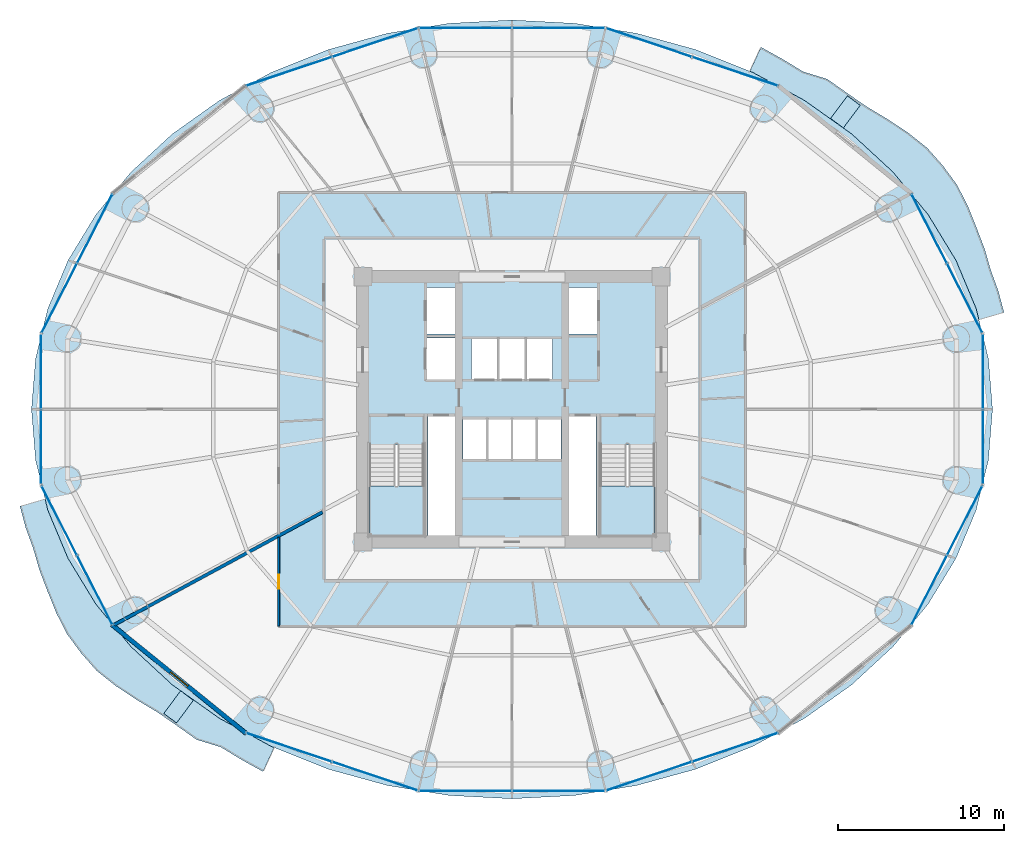
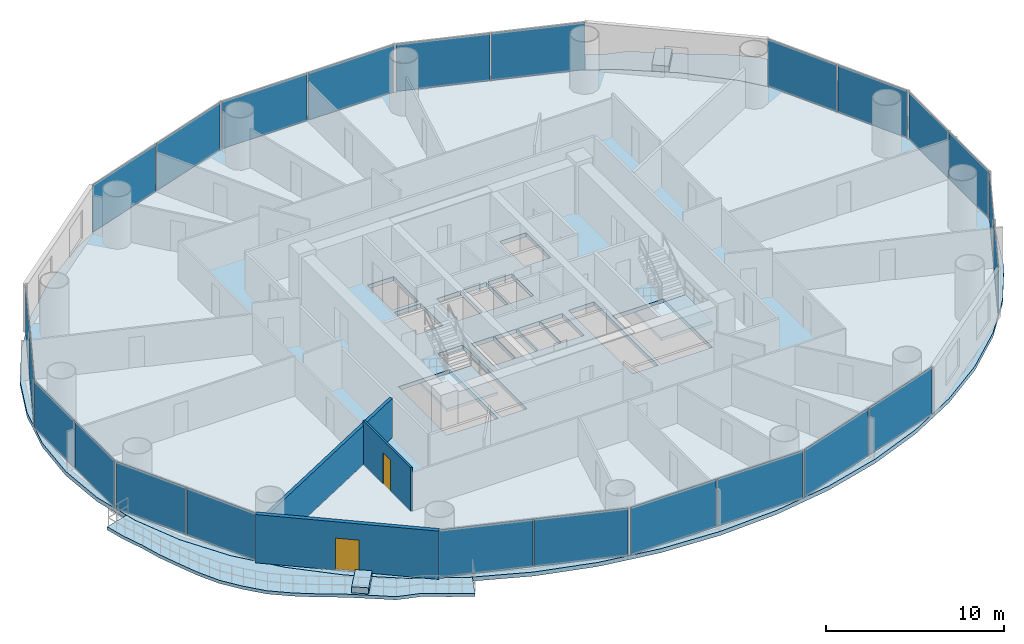
# One storey, part 22 of 30: 24 plates, 7 slabs, 3 walls, 2 doors, 2 openings, 14 elements without a shape of their own.
"""IFC4 building model written with IfcOpenShell, lengths in metres."""

from ifc_helpers import new_model, si_unit, direction, frame, frame_2d, origin, origin_2d, place, context, subcontext, project, spatial, polyline, rectangle, outline, extrude, source, transform, mapped, material, layer, layer_set, type_object, element, fill, aggregate, save


model = new_model("IFC4")

# Units and contexts
model_context = context("Model", 3, precision=1e-05, world=origin(), true_north=direction((-0.2419218956, 0.970295726276)))
body_context = subcontext(model_context, "Body", "Model", "MODEL_VIEW")
ifc_project = project(units=[si_unit("LENGTHUNIT", "METRE"), si_unit("AREAUNIT", "SQUARE_METRE"), si_unit("VOLUMEUNIT", "CUBIC_METRE"), si_unit("PLANEANGLEUNIT", "RADIAN"), si_unit("MASSUNIT", "GRAM", prefix="KILO")], contexts=[model_context])

# Site, building, storey
site_placement = place(None, origin())
site = spatial("IfcSite", under=ifc_project, at=site_placement, CompositionType="ELEMENT")
building_placement = place(site_placement, origin())
building = spatial("IfcBuilding", under=site, at=building_placement, Name="Cobrevalo Terracotta Tower", CompositionType="ELEMENT")
storey_placement = place(building_placement, frame((0.0, 0.0, 56.39990234375)))
storey = spatial("IfcBuildingStorey", under=building, at=storey_placement, Name="L14", CompositionType="ELEMENT", Elevation=56.39990234375)

# Stair, slab
ifc_material_1 = material(Name="Concrete C50", Category="concrete")
stair_type = type_object("IfcStairType", Name="Core protected escape dogleg stair 1600", PredefinedType="HALF_TURN_STAIR", material=ifc_material_1)
stair_1_placement = place(storey_placement, origin())
stair_1 = element("IfcStair", 1, at=stair_1_placement, inside=storey, type_object=stair_type, Name="L14 Protected exit stair ST-1", PredefinedType="HALF_TURN_STAIR")
ifc_layer_1 = layer(ifc_material_1, 0.199951171875)
ifc_layer_set_1 = layer_set([ifc_layer_1], Name="Concrete C50")
slab_type_1 = type_object("IfcSlabType", Name="Reinforced Concrete Stair Landing 200", PredefinedType="LANDING", material=ifc_layer_set_1)
slab_1_placement = place(storey_placement, frame((0.0, 0.0, 1.60009765625)))
slab_1 = element("IfcSlab", 2, at=slab_1_placement, type_object=slab_type_1, Name="ST-1 landing 1", PredefinedType="LANDING", context=body_context, shape_type="SweptSolid", body=[
    extrude(outline(polyline([(29.375, 22.179931640625), (29.375, 19.175048828125), (32.695068359375, 19.175048828125), (32.695068359375, 22.179931640625), (29.375, 22.179931640625)])), origin(), (0.0, 0.0, 1.0), 0.199951171875),
])
aggregate(stair_1, [slab_1])

stair_2_placement = place(storey_placement, origin())
stair_2 = element("IfcStair", 3, at=stair_2_placement, inside=storey, type_object=stair_type, Name="L14 Protected exit stair ST-2", PredefinedType="HALF_TURN_STAIR")
slab_2_placement = place(storey_placement, frame((0.0, 0.0, 1.60009765625)))
slab_2 = element("IfcSlab", 4, at=slab_2_placement, type_object=slab_type_1, Name="ST-2 landing 1", PredefinedType="LANDING", context=body_context, shape_type="SweptSolid", body=[
    extrude(outline(polyline([(43.304931640625, 22.179931640625), (43.304931640625, 19.175048828125), (46.625, 19.175048828125), (46.625, 22.179931640625), (43.304931640625, 22.179931640625)])), origin(), (0.0, 0.0, 1.0), 0.199951171875),
])
aggregate(stair_2, [slab_2])

# Slabs
ifc_material_2 = material(Name="Concrete C45", Category="concrete")
ifc_layer_2 = layer(ifc_material_2, 0.219970703125)
ifc_layer_set_2 = layer_set([ifc_layer_2], Name="Concrete C45")
slab_type_2 = type_object("IfcSlabType", Name="Spiralling cantilevered balcony lobe slab 220 mm", PredefinedType="FLOOR", material=ifc_layer_set_2)
slab_3_placement = place(storey_placement, frame((0.0, 0.0, -0.219970703125)))
element("IfcSlab", 5, at=slab_3_placement, inside=storey, type_object=slab_type_2, Name="L14 spiralling arc balcony slab lobe 1", PredefinedType="FLOOR", context=body_context, shape_type="SweptSolid", body=[
    extrude(outline(polyline([(67.692138671875, 32.6494140625), (67.352783203125, 33.926513671875), (66.896728515625, 35.18359375), (66.519287109375, 36.487060546875), (66.027099609375, 37.782470703125), (65.49853515625, 39.089599609375), (64.85302734375, 40.3544921875), (64.00048828125, 41.51123046875), (63.050537109375, 42.585205078125), (61.903564453125, 43.49462890625), (60.679443359375, 44.30615234375), (59.427490234375, 45.053955078125), (58.224609375, 45.886474609375), (57.03369140625, 46.730712890625), (55.582763671875, 47.176025390625), (54.320068359375, 47.942626953125), (53.024658203125, 48.66015625), (52.355712890625, 47.21142578125), (52.5009765625, 47.1533203125), (55.6552734375, 45.4453125), (58.507568359375, 43.41845703125), (61.0087890625, 41.107177734375), (63.116455078125, 38.551025390625), (64.79443359375, 35.7939453125), (66.013671875, 32.8828125), (66.179443359375, 32.20751953125), (67.692138671875, 32.6494140625)])), origin(), (0.0, 0.0, 1.0), 0.219970703125),
])
slab_4_placement = place(storey_placement, frame((0.0, 0.0, -0.219970703125)))
element("IfcSlab", 6, at=slab_4_placement, inside=storey, type_object=slab_type_2, Name="L14 spiralling arc balcony slab lobe 2", PredefinedType="FLOOR", context=body_context, shape_type="SweptSolid", body=[
    extrude(outline(polyline([(8.307861328125, 20.95068359375), (8.647216796875, 19.673583984375), (9.103271484375, 18.41650390625), (9.480712890625, 17.11279296875), (9.972900390625, 15.817626953125), (10.50146484375, 14.510498046875), (11.14697265625, 13.245361328125), (11.99951171875, 12.088623046875), (12.949462890625, 11.0146484375), (14.096435546875, 10.105224609375), (15.320556640625, 9.2939453125), (16.572509765625, 8.546142578125), (17.775390625, 7.71337890625), (18.96630859375, 6.869384765625), (20.417236328125, 6.424072265625), (21.679931640625, 5.6572265625), (22.975341796875, 4.939697265625), (23.644287109375, 6.388671875), (23.4990234375, 6.44677734375), (20.3447265625, 8.154541015625), (17.492431640625, 10.181640625), (14.9912109375, 12.492919921875), (12.883544921875, 15.049072265625), (11.20556640625, 17.80615234375), (9.986328125, 20.71728515625), (9.820556640625, 21.392578125), (8.307861328125, 20.95068359375)])), origin(), (0.0, 0.0, 1.0), 0.219970703125),
])
ifc_material_3 = material(Name="Precast concrete C45", Category="concrete")
ifc_layer_3 = layer(ifc_material_3, 0.419921875)
ifc_layer_set_3 = layer_set([ifc_layer_3], Name="Precast concrete C45")
slab_type_3 = type_object("IfcSlabType", Name="Structural tree planter trough base 420 mm", PredefinedType="USERDEFINED", material=ifc_layer_set_3)
slab_5_placement = place(storey_placement, origin())
element("IfcSlab", 7, at=slab_5_placement, inside=storey, type_object=slab_type_3, Name="L14 structural tree planter trough 1", ObjectType="PLANTER", PredefinedType="USERDEFINED", context=body_context, shape_type="SweptSolid", body=[
    extrude(outline(polyline([(57.998291015625, 43.785888671875), (59.01416015625, 45.149169921875), (58.244384765625, 45.72265625), (57.228515625, 44.359619140625), (57.998291015625, 43.785888671875)])), origin(), (0.0, 0.0, 1.0), 0.420166015625),
])
slab_6_placement = place(storey_placement, origin())
element("IfcSlab", 8, at=slab_6_placement, inside=storey, type_object=slab_type_3, Name="L14 structural tree planter trough 2", ObjectType="PLANTER", PredefinedType="USERDEFINED", context=body_context, shape_type="SweptSolid", body=[
    extrude(outline(polyline([(18.001708984375, 9.81396484375), (16.98583984375, 8.450927734375), (17.755615234375, 7.877197265625), (18.771484375, 9.240234375), (18.001708984375, 9.81396484375)])), origin(), (0.0, 0.0, 1.0), 0.420166015625),
])
ifc_layer_4 = layer(ifc_material_1, 0.280029296875)
ifc_layer_set_4 = layer_set([ifc_layer_4], Name="Concrete C50")
slab_type_4 = type_object("IfcSlabType", Name="Zone Z1 elliptical floor plate 280 mm", PredefinedType="FLOOR", material=ifc_layer_set_4)
slab_7_placement = place(storey_placement, frame((0.0, 0.0, -0.27978515625)))
element("IfcSlab", 9, at=slab_7_placement, inside=storey, type_object=slab_type_4, Name="L14 indoor elliptical floor slab", PredefinedType="FLOOR", context=body_context, shape_type="SweptSolid", body=[
    extrude(outline(polyline([(66.751953125, 23.732666015625), (66.011962890625, 20.7177734375), (64.79248046875, 17.806884765625), (63.11474609375, 15.050048828125), (61.00732421875, 12.494140625), (58.506103515625, 10.18310546875), (55.654052734375, 8.15625), (52.5, 6.448486328125), (49.097900390625, 5.0888671875), (45.505859375, 4.100830078125), (41.78515625, 3.5009765625), (38.0, 3.300048828125), (34.21484375, 3.5009765625), (30.494140625, 4.100830078125), (26.902099609375, 5.0888671875), (23.5, 6.448486328125), (20.345947265625, 8.15625), (17.493896484375, 10.18310546875), (14.99267578125, 12.494140625), (12.88525390625, 15.050048828125), (11.20751953125, 17.806884765625), (9.988037109375, 20.7177734375), (9.248046875, 23.732666015625), (9.0, 26.800048828125), (9.248046875, 29.867431640625), (9.988037109375, 32.88232421875), (11.20751953125, 35.79296875), (12.88525390625, 38.550048828125), (14.99267578125, 41.10595703125), (17.493896484375, 43.4169921875), (20.345947265625, 45.44384765625), (23.5, 47.151611328125), (26.902099609375, 48.51123046875), (30.494140625, 49.499267578125), (34.21484375, 50.098876953125), (38.0, 50.300048828125), (41.78515625, 50.098876953125), (45.505859375, 49.499267578125), (49.097900390625, 48.51123046875), (52.5, 47.151611328125), (55.654052734375, 45.44384765625), (58.506103515625, 43.4169921875), (61.00732421875, 41.10595703125), (63.11474609375, 38.550048828125), (64.79248046875, 35.79296875), (66.011962890625, 32.88232421875), (66.751953125, 29.867431640625), (67.0, 26.800048828125), (66.751953125, 23.732666015625)]), holes=[polyline([(32.695068359375, 19.175048828125), (32.695068359375, 24.659912109375), (29.375, 24.659912109375), (29.375, 19.175048828125), (32.695068359375, 19.175048828125)]), polyline([(34.574951171875, 19.175048828125), (34.574951171875, 26.360107421875), (32.919921875, 26.360107421875), (32.919921875, 19.175048828125), (34.574951171875, 19.175048828125)]), polyline([(36.47998046875, 23.800048828125), (36.47998046875, 26.25), (35.050048828125, 26.25), (35.050048828125, 23.800048828125), (36.47998046875, 23.800048828125)]), polyline([(37.9599609375, 23.800048828125), (37.9599609375, 26.25), (36.530029296875, 26.25), (36.530029296875, 23.800048828125), (37.9599609375, 23.800048828125)]), polyline([(37.1201171875, 28.60009765625), (37.1201171875, 31.050048828125), (35.550048828125, 31.050048828125), (35.550048828125, 28.60009765625), (37.1201171875, 28.60009765625)]), polyline([(34.550048828125, 28.60009765625), (34.550048828125, 31.10009765625), (32.85009765625, 31.10009765625), (32.85009765625, 28.60009765625), (34.550048828125, 28.60009765625)]), polyline([(34.550048828125, 31.35009765625), (34.550048828125, 34.14990234375), (32.85009765625, 34.14990234375), (32.85009765625, 31.35009765625), (34.550048828125, 31.35009765625)]), polyline([(46.625, 19.175048828125), (46.625, 24.659912109375), (43.304931640625, 24.659912109375), (43.304931640625, 19.175048828125), (46.625, 19.175048828125)]), polyline([(43.080078125, 19.175048828125), (43.080078125, 26.360107421875), (41.425048828125, 26.360107421875), (41.425048828125, 19.175048828125), (43.080078125, 19.175048828125)]), polyline([(39.469970703125, 23.800048828125), (39.469970703125, 26.25), (38.0400390625, 26.25), (38.0400390625, 23.800048828125), (39.469970703125, 23.800048828125)]), polyline([(40.949951171875, 23.800048828125), (40.949951171875, 26.25), (39.52001953125, 26.25), (39.52001953125, 23.800048828125), (40.949951171875, 23.800048828125)]), polyline([(38.780029296875, 28.60009765625), (38.780029296875, 31.050048828125), (37.219970703125, 31.050048828125), (37.219970703125, 28.60009765625), (38.780029296875, 28.60009765625)]), polyline([(40.449951171875, 28.60009765625), (40.449951171875, 31.050048828125), (38.8798828125, 31.050048828125), (38.8798828125, 28.60009765625), (40.449951171875, 28.60009765625)]), polyline([(43.14990234375, 31.35009765625), (43.14990234375, 34.14990234375), (41.449951171875, 34.14990234375), (41.449951171875, 31.35009765625), (43.14990234375, 31.35009765625)])]), origin(), (0.0, 0.0, 1.0), 0.27978515625),
])

# Curtain wall, plates
ifc_material_4 = material(Name="Anodized aluminium", Category="aluminium")
curtain_wall_type = type_object("IfcCurtainWallType", Name="Lower-tower unitised acoustic low-E curtain wall CW-U1", PredefinedType="NOTDEFINED", material=ifc_material_4)
curtain_wall_1_placement = place(storey_placement, origin())
curtain_wall_1 = element("IfcCurtainWall", 10, at=curtain_wall_1_placement, inside=storey, type_object=curtain_wall_type, Name="L14 curtain wall CW-L14-S03", PredefinedType="NOTDEFINED")
ifc_material_5 = material(Name="Solar-control low-E double glazing", Category="glass")
ifc_layer_5 = layer(ifc_material_5, 0.028076171875)
ifc_layer_set_5 = layer_set([ifc_layer_5], Name="Solar-control low-E double glazing")
plate_type = type_object("IfcPlateType", Name="Tower solar-control low-E vision glass panel 28 mm", PredefinedType="CURTAIN_PANEL", material=ifc_layer_set_5)
shared_shape_1 = source(origin(), body_context, "Body", "SweptSolid", [
    extrude(rectangle(XDim=5.3876953125, YDim=0.035888671875, at=origin_2d()), origin(), (0.0, 0.0, 1.0), 3.239990234375),
])
plate_1_placement = place(storey_placement, frame((51.465087890625, 47.197021484375, 0.0400390625), z_axis=(0.0, 0.0, 1.0), x_axis=(-0.948044172593, 0.318138722592, 0.0)))
plate_1 = element("IfcPlate", 11, at=plate_1_placement, type_object=plate_type, Name="CW-L14-S03 glazing panel B01", PredefinedType="CURTAIN_PANEL", context=body_context, shape_type="MappedRepresentation", body=[
    mapped(shared_shape_1, transform((0.0, 0.0, 0.0), scale=1.0)),
])
plate_2_placement = place(storey_placement, frame((46.281494140625, 48.9365234375, 0.0400390625), z_axis=(0.0, 0.0, 1.0), x_axis=(-0.948044172593, 0.318138722592, 0.0)))
plate_2 = element("IfcPlate", 12, at=plate_2_placement, type_object=plate_type, Name="CW-L14-S03 glazing panel B02", PredefinedType="CURTAIN_PANEL", context=body_context, shape_type="MappedRepresentation", body=[
    mapped(shared_shape_1, transform((0.0, 0.0, 0.0), scale=1.0)),
])
aggregate(curtain_wall_1, [plate_1, plate_2])

curtain_wall_2_placement = place(storey_placement, origin())
curtain_wall_2 = element("IfcCurtainWall", 13, at=curtain_wall_2_placement, inside=storey, type_object=curtain_wall_type, Name="L14 curtain wall CW-L14-S05", PredefinedType="NOTDEFINED")
plate_3_placement = place(storey_placement, frame((29.718505859375, 48.9365234375, 0.0400390625), z_axis=(0.0, 0.0, 1.0), x_axis=(-0.948044172593, -0.318138722592, 0.0)))
plate_3 = element("IfcPlate", 14, at=plate_3_placement, type_object=plate_type, Name="CW-L14-S05 glazing panel B01", PredefinedType="CURTAIN_PANEL", context=body_context, shape_type="MappedRepresentation", body=[
    mapped(shared_shape_1, transform((0.0, 0.0, 0.0), scale=1.0)),
])
plate_4_placement = place(storey_placement, frame((24.534912109375, 47.197021484375, 0.0400390625), z_axis=(0.0, 0.0, 1.0), x_axis=(-0.948044172593, -0.318138722592, 0.0)))
plate_4 = element("IfcPlate", 15, at=plate_4_placement, type_object=plate_type, Name="CW-L14-S05 glazing panel B02", PredefinedType="CURTAIN_PANEL", context=body_context, shape_type="MappedRepresentation", body=[
    mapped(shared_shape_1, transform((0.0, 0.0, 0.0), scale=1.0)),
])
aggregate(curtain_wall_2, [plate_3, plate_4])

curtain_wall_3_placement = place(storey_placement, origin())
curtain_wall_3 = element("IfcCurtainWall", 16, at=curtain_wall_3_placement, inside=storey, type_object=curtain_wall_type, Name="L14 curtain wall CW-L14-S11", PredefinedType="NOTDEFINED")
plate_5_placement = place(storey_placement, frame((24.534912109375, 6.40283203125, 0.0400390625), z_axis=(0.0, 0.0, 1.0), x_axis=(0.948044172593, -0.318138722592, 0.0)))
plate_5 = element("IfcPlate", 17, at=plate_5_placement, type_object=plate_type, Name="CW-L14-S11 glazing panel B01", PredefinedType="CURTAIN_PANEL", context=body_context, shape_type="MappedRepresentation", body=[
    mapped(shared_shape_1, transform((0.0, 0.0, 0.0), scale=1.0)),
])
plate_6_placement = place(storey_placement, frame((29.718505859375, 4.663330078125, 0.0400390625), z_axis=(0.0, 0.0, 1.0), x_axis=(0.948044172593, -0.318138722592, 0.0)))
plate_6 = element("IfcPlate", 18, at=plate_6_placement, type_object=plate_type, Name="CW-L14-S11 glazing panel B02", PredefinedType="CURTAIN_PANEL", context=body_context, shape_type="MappedRepresentation", body=[
    mapped(shared_shape_1, transform((0.0, 0.0, 0.0), scale=1.0)),
])
aggregate(curtain_wall_3, [plate_5, plate_6])

curtain_wall_4_placement = place(storey_placement, origin())
curtain_wall_4 = element("IfcCurtainWall", 19, at=curtain_wall_4_placement, inside=storey, type_object=curtain_wall_type, Name="L14 curtain wall CW-L14-S13", PredefinedType="NOTDEFINED")
plate_7_placement = place(storey_placement, frame((46.281494140625, 4.663330078125, 0.0400390625), z_axis=(0.0, 0.0, 1.0), x_axis=(0.948044172593, 0.318138722592, 0.0)))
plate_7 = element("IfcPlate", 20, at=plate_7_placement, type_object=plate_type, Name="CW-L14-S13 glazing panel B01", PredefinedType="CURTAIN_PANEL", context=body_context, shape_type="MappedRepresentation", body=[
    mapped(shared_shape_1, transform((0.0, 0.0, 0.0), scale=1.0)),
])
plate_8_placement = place(storey_placement, frame((51.465087890625, 6.40283203125, 0.0400390625), z_axis=(0.0, 0.0, 1.0), x_axis=(0.948044172593, 0.318138722592, 0.0)))
plate_8 = element("IfcPlate", 21, at=plate_8_placement, type_object=plate_type, Name="CW-L14-S13 glazing panel B02", PredefinedType="CURTAIN_PANEL", context=body_context, shape_type="MappedRepresentation", body=[
    mapped(shared_shape_1, transform((0.0, 0.0, 0.0), scale=1.0)),
])
aggregate(curtain_wall_4, [plate_7, plate_8])

curtain_wall_5_placement = place(storey_placement, origin())
curtain_wall_5 = element("IfcCurtainWall", 22, at=curtain_wall_5_placement, inside=storey, type_object=curtain_wall_type, Name="L14 curtain wall CW-L14-S04", PredefinedType="NOTDEFINED")
shared_shape_2 = source(origin(), body_context, "Body", "SweptSolid", [
    extrude(rectangle(XDim=5.53173828125, YDim=0.035888671875, at=origin_2d()), origin(), (0.0, 0.0, 1.0), 3.239990234375),
])
plate_9_placement = place(storey_placement, frame((40.805908203125, 49.819091796875, 0.0400390625), z_axis=(0.0, 0.0, 1.0), x_axis=(-1.0, 0.0, 0.0)))
plate_9 = element("IfcPlate", 23, at=plate_9_placement, type_object=plate_type, Name="CW-L14-S04 glazing panel B01", PredefinedType="CURTAIN_PANEL", context=body_context, shape_type="MappedRepresentation", body=[
    mapped(shared_shape_2, transform((0.0, 0.0, 0.0), scale=1.0)),
])
plate_10_placement = place(storey_placement, frame((35.194091796875, 49.819091796875, 0.0400390625), z_axis=(0.0, 0.0, 1.0), x_axis=(-1.0, 0.0, 0.0)))
plate_10 = element("IfcPlate", 24, at=plate_10_placement, type_object=plate_type, Name="CW-L14-S04 glazing panel B02", PredefinedType="CURTAIN_PANEL", context=body_context, shape_type="MappedRepresentation", body=[
    mapped(shared_shape_2, transform((0.0, 0.0, 0.0), scale=1.0)),
])
aggregate(curtain_wall_5, [plate_9, plate_10])

curtain_wall_6_placement = place(storey_placement, origin())
curtain_wall_6 = element("IfcCurtainWall", 25, at=curtain_wall_6_placement, inside=storey, type_object=curtain_wall_type, Name="L14 curtain wall CW-L14-S12", PredefinedType="NOTDEFINED")
plate_11_placement = place(storey_placement, frame((35.194091796875, 3.781005859375, 0.0400390625), z_axis=(0.0, 0.0, 1.0), x_axis=(1.0, 0.0, 0.0)))
plate_11 = element("IfcPlate", 26, at=plate_11_placement, type_object=plate_type, Name="CW-L14-S12 glazing panel B01", PredefinedType="CURTAIN_PANEL", context=body_context, shape_type="MappedRepresentation", body=[
    mapped(shared_shape_2, transform((0.0, 0.0, 0.0), scale=1.0)),
])
plate_12_placement = place(storey_placement, frame((40.805908203125, 3.781005859375, 0.0400390625), z_axis=(0.0, 0.0, 1.0), x_axis=(1.0, 0.0, 0.0)))
plate_12 = element("IfcPlate", 27, at=plate_12_placement, type_object=plate_type, Name="CW-L14-S12 glazing panel B02", PredefinedType="CURTAIN_PANEL", context=body_context, shape_type="MappedRepresentation", body=[
    mapped(shared_shape_2, transform((0.0, 0.0, 0.0), scale=1.0)),
])
aggregate(curtain_wall_6, [plate_11, plate_12])

curtain_wall_7_placement = place(storey_placement, origin())
curtain_wall_7 = element("IfcCurtainWall", 28, at=curtain_wall_7_placement, inside=storey, type_object=curtain_wall_type, Name="L14 curtain wall CW-L14-S08", PredefinedType="NOTDEFINED")
shared_shape_3 = source(origin(), body_context, "Body", "SweptSolid", [
    extrude(rectangle(XDim=4.458740234375, YDim=0.035888671875, at=origin_2d()), origin(), (0.0, 0.0, 1.0), 3.239990234375),
])
plate_13_placement = place(storey_placement, frame((9.586669921875, 29.0693359375, 0.0400390625), z_axis=(0.0, 0.0, 1.0), x_axis=(0.0, -1.0, 0.0)))
plate_13 = element("IfcPlate", 29, at=plate_13_placement, type_object=plate_type, Name="CW-L14-S08 glazing panel B01", PredefinedType="CURTAIN_PANEL", context=body_context, shape_type="MappedRepresentation", body=[
    mapped(shared_shape_3, transform((0.0, 0.0, 0.0), scale=1.0)),
])
plate_14_placement = place(storey_placement, frame((9.586669921875, 24.530517578125, 0.0400390625), z_axis=(0.0, 0.0, 1.0), x_axis=(0.0, -1.0, 0.0)))
plate_14 = element("IfcPlate", 30, at=plate_14_placement, type_object=plate_type, Name="CW-L14-S08 glazing panel B02", PredefinedType="CURTAIN_PANEL", context=body_context, shape_type="MappedRepresentation", body=[
    mapped(shared_shape_3, transform((0.0, 0.0, 0.0), scale=1.0)),
])
aggregate(curtain_wall_7, [plate_13, plate_14])

curtain_wall_8_placement = place(storey_placement, origin())
curtain_wall_8 = element("IfcCurtainWall", 31, at=curtain_wall_8_placement, inside=storey, type_object=curtain_wall_type, Name="L14 curtain wall CW-L14-S16", PredefinedType="NOTDEFINED")
plate_15_placement = place(storey_placement, frame((66.413330078125, 24.530517578125, 0.0400390625), z_axis=(0.0, 0.0, 1.0), x_axis=(0.0, 1.0, 0.0)))
plate_15 = element("IfcPlate", 32, at=plate_15_placement, type_object=plate_type, Name="CW-L14-S16 glazing panel B01", PredefinedType="CURTAIN_PANEL", context=body_context, shape_type="MappedRepresentation", body=[
    mapped(shared_shape_3, transform((0.0, 0.0, 0.0), scale=1.0)),
])
plate_16_placement = place(storey_placement, frame((66.413330078125, 29.0693359375, 0.0400390625), z_axis=(0.0, 0.0, 1.0), x_axis=(0.0, 1.0, 0.0)))
plate_16 = element("IfcPlate", 33, at=plate_16_placement, type_object=plate_type, Name="CW-L14-S16 glazing panel B02", PredefinedType="CURTAIN_PANEL", context=body_context, shape_type="MappedRepresentation", body=[
    mapped(shared_shape_3, transform((0.0, 0.0, 0.0), scale=1.0)),
])
aggregate(curtain_wall_8, [plate_15, plate_16])

curtain_wall_9_placement = place(storey_placement, origin())
curtain_wall_9 = element("IfcCurtainWall", 34, at=curtain_wall_9_placement, inside=storey, type_object=curtain_wall_type, Name="L14 curtain wall CW-L14-S01", PredefinedType="NOTDEFINED")
shared_shape_4 = source(origin(), body_context, "Body", "SweptSolid", [
    extrude(rectangle(XDim=4.631103515625, YDim=0.035888671875, at=origin_2d()), origin(), (0.0, 0.0, 1.0), 3.239990234375),
])
plate_17_placement = place(storey_placement, frame((65.32275390625, 33.51171875, 0.0400390625), z_axis=(0.0, 0.0, 1.0), x_axis=(-0.45523102861, 0.890373354605, 0.0)))
plate_17 = element("IfcPlate", 35, at=plate_17_placement, type_object=plate_type, Name="CW-L14-S01 glazing panel B01", PredefinedType="CURTAIN_PANEL", context=body_context, shape_type="MappedRepresentation", body=[
    mapped(shared_shape_4, transform((0.0, 0.0, 0.0), scale=1.0)),
])
plate_18_placement = place(storey_placement, frame((63.17822265625, 37.706298828125, 0.0400390625), z_axis=(0.0, 0.0, 1.0), x_axis=(-0.45523102861, 0.890373354605, 0.0)))
plate_18 = element("IfcPlate", 36, at=plate_18_placement, type_object=plate_type, Name="CW-L14-S01 glazing panel B02", PredefinedType="CURTAIN_PANEL", context=body_context, shape_type="MappedRepresentation", body=[
    mapped(shared_shape_4, transform((0.0, 0.0, 0.0), scale=1.0)),
])
aggregate(curtain_wall_9, [plate_17, plate_18])

curtain_wall_10_placement = place(storey_placement, origin())
curtain_wall_10 = element("IfcCurtainWall", 37, at=curtain_wall_10_placement, inside=storey, type_object=curtain_wall_type, Name="L14 curtain wall CW-L14-S07", PredefinedType="NOTDEFINED")
plate_19_placement = place(storey_placement, frame((12.82177734375, 37.706298828125, 0.0400390625), z_axis=(0.0, 0.0, 1.0), x_axis=(-0.45523102861, -0.890373354605, 0.0)))
plate_19 = element("IfcPlate", 38, at=plate_19_placement, type_object=plate_type, Name="CW-L14-S07 glazing panel B01", PredefinedType="CURTAIN_PANEL", context=body_context, shape_type="MappedRepresentation", body=[
    mapped(shared_shape_4, transform((0.0, 0.0, 0.0), scale=1.0)),
])
plate_20_placement = place(storey_placement, frame((10.67724609375, 33.51171875, 0.0400390625), z_axis=(0.0, 0.0, 1.0), x_axis=(-0.45523102861, -0.890373354605, 0.0)))
plate_20 = element("IfcPlate", 39, at=plate_20_placement, type_object=plate_type, Name="CW-L14-S07 glazing panel B02", PredefinedType="CURTAIN_PANEL", context=body_context, shape_type="MappedRepresentation", body=[
    mapped(shared_shape_4, transform((0.0, 0.0, 0.0), scale=1.0)),
])
aggregate(curtain_wall_10, [plate_19, plate_20])

curtain_wall_11_placement = place(storey_placement, origin())
curtain_wall_11 = element("IfcCurtainWall", 40, at=curtain_wall_11_placement, inside=storey, type_object=curtain_wall_type, Name="L14 curtain wall CW-L14-S09", PredefinedType="NOTDEFINED")
plate_21_placement = place(storey_placement, frame((10.67724609375, 20.08837890625, 0.0400390625), z_axis=(0.0, 0.0, 1.0), x_axis=(0.45523102861, -0.890373354605, 0.0)))
plate_21 = element("IfcPlate", 41, at=plate_21_placement, type_object=plate_type, Name="CW-L14-S09 glazing panel B01", PredefinedType="CURTAIN_PANEL", context=body_context, shape_type="MappedRepresentation", body=[
    mapped(shared_shape_4, transform((0.0, 0.0, 0.0), scale=1.0)),
])
plate_22_placement = place(storey_placement, frame((12.82177734375, 15.893798828125, 0.0400390625), z_axis=(0.0, 0.0, 1.0), x_axis=(0.45523102861, -0.890373354605, 0.0)))
plate_22 = element("IfcPlate", 42, at=plate_22_placement, type_object=plate_type, Name="CW-L14-S09 glazing panel B02", PredefinedType="CURTAIN_PANEL", context=body_context, shape_type="MappedRepresentation", body=[
    mapped(shared_shape_4, transform((0.0, 0.0, 0.0), scale=1.0)),
])
aggregate(curtain_wall_11, [plate_21, plate_22])

curtain_wall_12_placement = place(storey_placement, origin())
curtain_wall_12 = element("IfcCurtainWall", 43, at=curtain_wall_12_placement, inside=storey, type_object=curtain_wall_type, Name="L14 curtain wall CW-L14-S15", PredefinedType="NOTDEFINED")
plate_23_placement = place(storey_placement, frame((63.17822265625, 15.893798828125, 0.0400390625), z_axis=(0.0, 0.0, 1.0), x_axis=(0.45523102861, 0.890373354605, 0.0)))
plate_23 = element("IfcPlate", 44, at=plate_23_placement, type_object=plate_type, Name="CW-L14-S15 glazing panel B01", PredefinedType="CURTAIN_PANEL", context=body_context, shape_type="MappedRepresentation", body=[
    mapped(shared_shape_4, transform((0.0, 0.0, 0.0), scale=1.0)),
])
plate_24_placement = place(storey_placement, frame((65.32275390625, 20.08837890625, 0.0400390625), z_axis=(0.0, 0.0, 1.0), x_axis=(0.45523102861, 0.890373354605, 0.0)))
plate_24 = element("IfcPlate", 45, at=plate_24_placement, type_object=plate_type, Name="CW-L14-S15 glazing panel B02", PredefinedType="CURTAIN_PANEL", context=body_context, shape_type="MappedRepresentation", body=[
    mapped(shared_shape_4, transform((0.0, 0.0, 0.0), scale=1.0)),
])
aggregate(curtain_wall_12, [plate_23, plate_24])

# Wall
ifc_material_6 = material(Name="Autoclaved aerated concrete block", Category="concrete")
ifc_layer_6 = layer(ifc_material_6, 0.199951171875)
ifc_layer_set_6 = layer_set([ifc_layer_6], Name="Autoclaved aerated concrete block")
wall_type_1 = type_object("IfcWallType", Name="Fire-rated stair, shaft & demising masonry wall 200 mm", PredefinedType="PARTITIONING", material=ifc_layer_set_6)
wall_1_placement = place(storey_placement, frame((26.56494140625, 20.6083984375, 0.0), z_axis=(0.0, 0.0, 1.0), x_axis=(-0.879369737803, -0.476139542819, 0.0)))
element("IfcWall", 46, at=wall_1_placement, inside=storey, type_object=wall_type_1, Name="L14 interior partition IW-L14-DEM-2", PredefinedType="PARTITIONING", context=body_context, shape_type="SweptSolid", body=[
    extrude(rectangle(XDim=14.294921875, YDim=0.199951171875, at=frame_2d((7.1474609375, 0.0))), origin(), (0.0, 0.0, 1.0), 2.68798828125),
])

# Wall, opening, door
ifc_layer_7 = layer(ifc_material_6, 0.260009765625)
ifc_layer_set_7 = layer_set([ifc_layer_7], Name="Autoclaved aerated concrete block")
wall_type_2 = type_object("IfcWallType", Name="Recessed balcony loggia insulated exterior wall 260 mm", PredefinedType="SOLIDWALL", material=ifc_layer_set_7)
wall_2_placement = place(storey_placement, frame((13.85009765625, 13.81103515625, 0.0), z_axis=(0.0, 0.0, 1.0), x_axis=(0.777016782851, -0.629479879875, 0.0)))
wall_2 = element("IfcWall", 47, at=wall_2_placement, inside=storey, type_object=wall_type_2, Name="L14 balcony loggia wall S10", PredefinedType="SOLIDWALL", context=body_context, shape_type="SweptSolid", body=[
    extrude(rectangle(XDim=10.446533203125, YDim=0.260009765625, at=frame_2d((5.22314453125, 0.0))), origin(), (0.0, 0.0, 1.0), 3.320068359375),
])
opening_1_placement = place(wall_2_placement, frame((4.54833984375, 0.0, 0.0)))
opening_1 = element("IfcOpeningElement", 48, at=opening_1_placement, cuts=wall_2, Name="Opening ED-05", PredefinedType="OPENING", context=body_context, shape_type="SweptSolid", body=[
    extrude(rectangle(XDim=1.35009765625, YDim=2.199951171875, at=frame_2d((0.675048828125, 1.10009765625))), frame((0.0, 0.14013671875, 0.0), z_axis=(0.0, -1.0, 0.0), x_axis=(1.0, 0.0, 0.0)), (0.0, 0.0, 1.0), 0.280029296875),
])
ifc_material_7 = material(Name="Anodized aluminium and laminated glass", Category="aluminium")
door_type_1 = type_object("IfcDoorType", Name="Suite balcony acoustic glazed terrace door 1350x2200", OperationType="NOTDEFINED", PredefinedType="DOOR", material=ifc_material_7)
shared_shape_5 = source(origin(), body_context, "Body", "SweptSolid", [
    extrude(rectangle(XDim=1.35009765625, YDim=2.199951171875, at=frame_2d((0.675048828125, 1.10009765625))), frame((0.0, 0.02490234375, 0.0), z_axis=(0.0, -1.0, 0.0), x_axis=(1.0, 0.0, 0.0)), (0.0, 0.0, 1.0), 0.050048828125),
])
door_1_placement = place(opening_1_placement, frame((1.35009765625, 0.0, 0.0), z_axis=(0.0, 0.0, 1.0), x_axis=(-1.0, 0.0, 0.0)))
door_1 = element("IfcDoor", 49, at=door_1_placement, inside=storey, type_object=door_type_1, Name="L14 glazed balcony terrace door 2", OperationType="SINGLE_SWING_RIGHT", OverallHeight=2.199951171875, OverallWidth=1.35009765625, PredefinedType="DOOR", context=body_context, shape_type="MappedRepresentation", body=[
    mapped(shared_shape_5, transform((0.0, 0.0, 0.0), scale=1.0)),
])
fill(opening_1, door_1)

ifc_material_8 = material(Name="Gypsum board on steel stud", Category="steel")
ifc_layer_8 = layer(ifc_material_8, 0.1201171875)
ifc_layer_set_8 = layer_set([ifc_layer_8], Name="Gypsum board on steel stud")
wall_type_3 = type_object("IfcWallType", Name="Residential internal acoustic stud partition 120 mm", PredefinedType="PARTITIONING", material=ifc_layer_set_8)
wall_3_placement = place(storey_placement, frame((23.9150390625, 13.715087890625, 0.0), z_axis=(0.0, 0.0, 1.0), x_axis=(0.0, 1.0, 0.0)))
wall_3 = element("IfcWall", 50, at=wall_3_placement, inside=storey, type_object=wall_type_3, Name="L14 interior partition IW-L14-U2-RING2_0", PredefinedType="PARTITIONING", context=body_context, shape_type="SweptSolid", body=[
    extrude(rectangle(XDim=5.3564453125, YDim=0.1201171875, at=frame_2d((2.67822265625, 0.0))), origin(), (0.0, 0.0, 1.0), 2.9990234375),
])
opening_2_placement = place(wall_3_placement, frame((2.248291015625, 0.0, 0.0)))
opening_2 = element("IfcOpeningElement", 51, at=opening_2_placement, cuts=wall_3, Name="Opening ID-19", PredefinedType="OPENING", context=body_context, shape_type="SweptSolid", body=[
    extrude(rectangle(XDim=0.860107421875, YDim=2.14990234375, at=frame_2d((0.43017578125, 1.074951171875))), frame((0.0, 0.070068359375, 0.0), z_axis=(0.0, -1.0, 0.0), x_axis=(1.0, 0.0, 0.0)), (0.0, 0.0, 1.0), 0.14013671875),
])
ifc_material_9 = material(Name="Moisture-sealed timber", Category="wood")
door_type_2 = type_object("IfcDoorType", Name="Suite bathroom internal timber door 860x2150", OperationType="NOTDEFINED", PredefinedType="DOOR", material=ifc_material_9)
shared_shape_6 = source(origin(), body_context, "Body", "SweptSolid", [
    extrude(rectangle(XDim=0.860107421875, YDim=2.14990234375, at=frame_2d((0.43017578125, 1.074951171875))), frame((0.0, 0.02490234375, 0.0), z_axis=(0.0, -1.0, 0.0), x_axis=(1.0, 0.0, 0.0)), (0.0, 0.0, 1.0), 0.050048828125),
])
door_2_placement = place(opening_2_placement, frame((0.860107421875, 0.0, 0.0), z_axis=(0.0, 0.0, 1.0), x_axis=(-1.0, 0.0, 0.0)))
door_2 = element("IfcDoor", 52, at=door_2_placement, inside=storey, type_object=door_type_2, Name="Flat L14B Guest Bathroom internal door", OperationType="SINGLE_SWING_RIGHT", OverallHeight=2.14990234375, OverallWidth=0.860107421875, PredefinedType="DOOR", context=body_context, shape_type="MappedRepresentation", body=[
    mapped(shared_shape_6, transform((0.0, 0.0, 0.0), scale=1.0)),
])
fill(opening_2, door_2)

save(model, "model.ifc")
